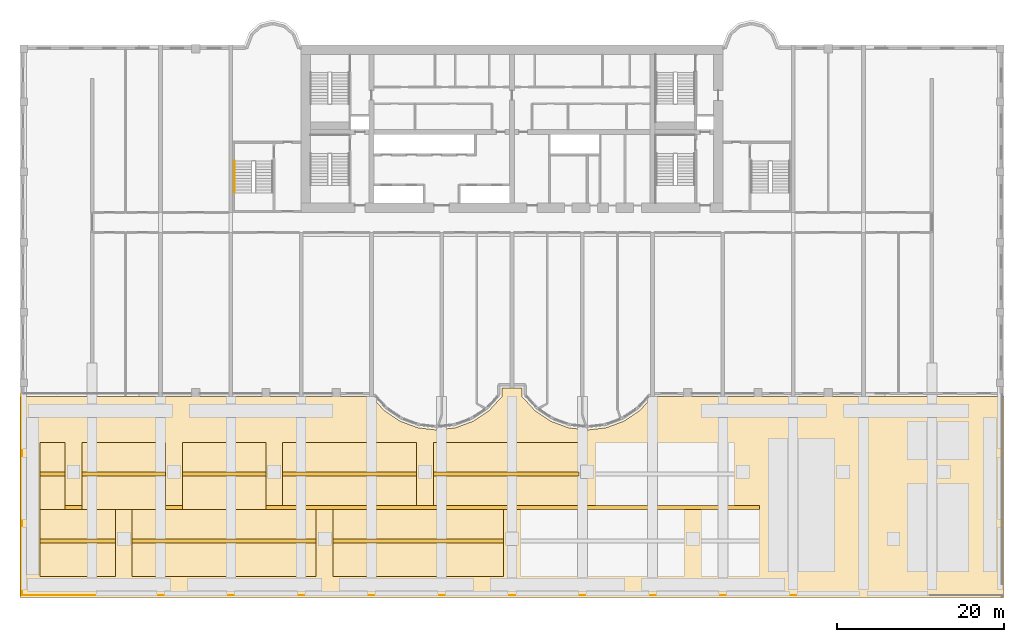
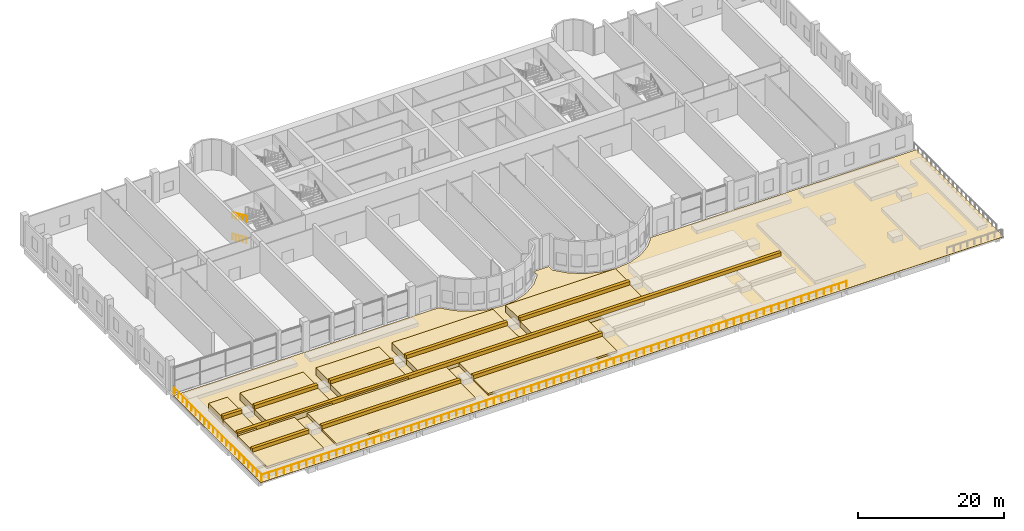
# One storey, part 18 of 20: 26 coverings, 3 railings.
"""IFC4 building model written with IfcOpenShell, lengths in metres."""

from ifc_helpers import new_model, si_unit, direction, frame, origin, origin_2d, place, context, subcontext, project, spatial, polyline, rectangle, circle, outline, extrude, source, transform, mapped, material, layer, layer_set, type_object, element, save


model = new_model("IFC4")

# Units and contexts
model_context = context("Model", 3, precision=1e-05, world=origin(), true_north=direction((0.0, 1.0)))
body_context = subcontext(model_context, "Body", "Model", "MODEL_VIEW")
ifc_project = project(units=[si_unit("LENGTHUNIT", "METRE"), si_unit("AREAUNIT", "SQUARE_METRE"), si_unit("VOLUMEUNIT", "CUBIC_METRE"), si_unit("PLANEANGLEUNIT", "RADIAN"), si_unit("MASSUNIT", "GRAM", prefix="KILO")], contexts=[model_context])

# Site, building, storey
site_placement = place(None, origin())
site = spatial("IfcSite", under=ifc_project, at=site_placement, CompositionType="ELEMENT")
building_placement = place(site_placement, origin())
building = spatial("IfcBuilding", under=site, at=building_placement, Name="Vanashikhar Sky Hotel", CompositionType="ELEMENT")
storey_placement = place(building_placement, frame((0.0, 0.0, 6.0)))
storey = spatial("IfcBuildingStorey", under=building, at=storey_placement, Name="L01", CompositionType="ELEMENT", Elevation=6.0)

# Coverings
ifc_material_1 = material(Name="Paving stone", Category="masonry")
ifc_layer_1 = layer(ifc_material_1, 0.050048828125)
ifc_layer_set_1 = layer_set([ifc_layer_1], Name="Paving stone 50")
covering_type_1 = type_object("IfcCoveringType", Name="Paving stone 50", PredefinedType="FLOORING", material=ifc_layer_set_1)
shared_shape_1 = source(origin(), body_context, "Body", "SweptSolid", [
    extrude(outline(polyline([(109.197998046875, -0.001953125), (67.200927734375, -0.001953125), (65.66796875, -1.676025390625), (63.783935546875, -2.944091796875), (61.654052734375, -3.73388671875), (59.39990234375, -4.001953125), (57.14599609375, -3.73388671875), (55.01611328125, -2.944091796875), (53.132080078125, -1.676025390625), (51.597900390625, -0.0009765625), (51.597900390625, 0.998046875), (49.201904296875, 0.998046875), (49.201904296875, -0.0009765625), (47.66796875, -1.676025390625), (45.783935546875, -2.944091796875), (43.654052734375, -3.73388671875), (41.39990234375, -4.001953125), (39.14599609375, -3.73388671875), (37.01611328125, -2.944091796875), (35.132080078125, -1.676025390625), (33.59912109375, -0.001953125), (-8.39794921875, -0.001953125), (-8.39794921875, -23.998046875), (109.197998046875, -23.998046875), (109.197998046875, -0.001953125)])), origin(), (0.0, 0.0, 1.0), 0.050048828125),
])
covering_1_placement = place(storey_placement, frame((0.0, 0.0, -0.050048828125)))
element("IfcCovering", 1, at=covering_1_placement, inside=storey, type_object=covering_type_1, Name="Garden deck paving", PredefinedType="FLOORING", context=body_context, shape_type="MappedRepresentation", body=[
    mapped(shared_shape_1, transform((0.0, 0.0, 0.0), scale=1.0)),
])
ifc_layer_2 = layer(ifc_material_1, 0.14990234375)
ifc_layer_set_2 = layer_set([ifc_layer_2], Name="Garden terrace step paving")
covering_type_2 = type_object("IfcCoveringType", Name="Garden terrace step paving", PredefinedType="FLOORING", material=ifc_layer_set_2)
shared_shape_2 = source(origin(), body_context, "Body", "SweptSolid", [
    extrude(rectangle(XDim=9.0, YDim=4.0, at=origin_2d()), origin(), (0.0, 0.0, 1.0), 0.300048828125),
])
covering_2_placement = place(storey_placement, frame((-1.5, -19.5, 0.0), z_axis=(0.0, 0.0, 1.0), x_axis=(1.0, 0.0, 0.0)))
element("IfcCovering", 2, at=covering_2_placement, inside=storey, type_object=covering_type_2, Name="Garden terrace step paving", PredefinedType="FLOORING", context=body_context, shape_type="MappedRepresentation", body=[
    mapped(shared_shape_2, transform((0.0, 0.0, 0.0), scale=1.0)),
])
shared_shape_3 = source(origin(), body_context, "Body", "SweptSolid", [
    extrude(rectangle(XDim=22.0, YDim=4.0, at=origin_2d()), origin(), (0.0, 0.0, 1.0), 0.300048828125),
])
covering_3_placement = place(storey_placement, frame((16.0, -19.5, 0.0), z_axis=(0.0, 0.0, 1.0), x_axis=(1.0, 0.0, 0.0)))
element("IfcCovering", 3, at=covering_3_placement, inside=storey, type_object=covering_type_2, Name="Garden terrace step paving", PredefinedType="FLOORING", context=body_context, shape_type="MappedRepresentation", body=[
    mapped(shared_shape_3, transform((0.0, 0.0, 0.0), scale=1.0)),
])
shared_shape_4 = source(origin(), body_context, "Body", "SweptSolid", [
    extrude(rectangle(XDim=20.39990234375, YDim=4.0, at=origin_2d()), origin(), (0.0, 0.0, 1.0), 0.300048828125),
])
covering_4_placement = place(storey_placement, frame((39.199951171875, -19.5, 0.0), z_axis=(0.0, 0.0, 1.0), x_axis=(1.0, 0.0, 0.0)))
element("IfcCovering", 4, at=covering_4_placement, inside=storey, type_object=covering_type_2, Name="Garden terrace step paving", PredefinedType="FLOORING", context=body_context, shape_type="MappedRepresentation", body=[
    mapped(shared_shape_4, transform((0.0, 0.0, 0.0), scale=1.0)),
])
shared_shape_5 = source(origin(), body_context, "Body", "SweptSolid", [
    extrude(rectangle(XDim=9.0, YDim=4.0, at=origin_2d()), origin(), (0.0, 0.0, 1.0), 0.60009765625),
])
covering_5_placement = place(storey_placement, frame((-1.5, -15.5, 0.0), z_axis=(0.0, 0.0, 1.0), x_axis=(1.0, 0.0, 0.0)))
element("IfcCovering", 5, at=covering_5_placement, inside=storey, type_object=covering_type_2, Name="Garden terrace step paving", PredefinedType="FLOORING", context=body_context, shape_type="MappedRepresentation", body=[
    mapped(shared_shape_5, transform((0.0, 0.0, 0.0), scale=1.0)),
])
shared_shape_6 = source(origin(), body_context, "Body", "SweptSolid", [
    extrude(rectangle(XDim=22.0, YDim=4.0, at=origin_2d()), origin(), (0.0, 0.0, 1.0), 0.60009765625),
])
covering_6_placement = place(storey_placement, frame((16.0, -15.5, 0.0), z_axis=(0.0, 0.0, 1.0), x_axis=(1.0, 0.0, 0.0)))
element("IfcCovering", 6, at=covering_6_placement, inside=storey, type_object=covering_type_2, Name="Garden terrace step paving", PredefinedType="FLOORING", context=body_context, shape_type="MappedRepresentation", body=[
    mapped(shared_shape_6, transform((0.0, 0.0, 0.0), scale=1.0)),
])
shared_shape_7 = source(origin(), body_context, "Body", "SweptSolid", [
    extrude(rectangle(XDim=20.39990234375, YDim=4.0, at=origin_2d()), origin(), (0.0, 0.0, 1.0), 0.60009765625),
])
covering_7_placement = place(storey_placement, frame((39.199951171875, -15.5, 0.0), z_axis=(0.0, 0.0, 1.0), x_axis=(1.0, 0.0, 0.0)))
element("IfcCovering", 7, at=covering_7_placement, inside=storey, type_object=covering_type_2, Name="Garden terrace step paving", PredefinedType="FLOORING", context=body_context, shape_type="MappedRepresentation", body=[
    mapped(shared_shape_7, transform((0.0, 0.0, 0.0), scale=1.0)),
])
ifc_material_2 = material(Name="Concrete M50 precast", Category="concrete")
covering_type_3 = type_object("IfcCoveringType", Name="Garden planter wall", PredefinedType="CLADDING", material=ifc_material_2)
shared_shape_8 = source(origin(), body_context, "Body", "SweptSolid", [
    extrude(rectangle(XDim=9.0, YDim=0.5, at=origin_2d()), origin(), (0.0, 0.0, 1.0), 0.60009765625),
])
covering_8_placement = place(storey_placement, frame((-1.5, -17.25, 0.300048828125), z_axis=(0.0, 0.0, 1.0), x_axis=(1.0, 0.0, 0.0)))
element("IfcCovering", 8, at=covering_8_placement, inside=storey, type_object=covering_type_3, Name="Garden planter wall", PredefinedType="CLADDING", context=body_context, shape_type="MappedRepresentation", body=[
    mapped(shared_shape_8, transform((0.0, 0.0, 0.0), scale=1.0)),
])
shared_shape_9 = source(origin(), body_context, "Body", "SweptSolid", [
    extrude(rectangle(XDim=22.0, YDim=0.5, at=origin_2d()), origin(), (0.0, 0.0, 1.0), 0.60009765625),
])
covering_9_placement = place(storey_placement, frame((16.0, -17.25, 0.300048828125), z_axis=(0.0, 0.0, 1.0), x_axis=(1.0, 0.0, 0.0)))
element("IfcCovering", 9, at=covering_9_placement, inside=storey, type_object=covering_type_3, Name="Garden planter wall", PredefinedType="CLADDING", context=body_context, shape_type="MappedRepresentation", body=[
    mapped(shared_shape_9, transform((0.0, 0.0, 0.0), scale=1.0)),
])
shared_shape_10 = source(origin(), body_context, "Body", "SweptSolid", [
    extrude(rectangle(XDim=20.39990234375, YDim=0.5, at=origin_2d()), origin(), (0.0, 0.0, 1.0), 0.60009765625),
])
covering_10_placement = place(storey_placement, frame((39.199951171875, -17.25, 0.300048828125), z_axis=(0.0, 0.0, 1.0), x_axis=(1.0, 0.0, 0.0)))
element("IfcCovering", 10, at=covering_10_placement, inside=storey, type_object=covering_type_3, Name="Garden planter wall", PredefinedType="CLADDING", context=body_context, shape_type="MappedRepresentation", body=[
    mapped(shared_shape_10, transform((0.0, 0.0, 0.0), scale=1.0)),
])
shared_shape_11 = source(origin(), body_context, "Body", "SweptSolid", [
    extrude(rectangle(XDim=3.0, YDim=4.0, at=origin_2d()), origin(), (0.0, 0.0, 1.0), 0.89990234375),
])
covering_11_placement = place(storey_placement, frame((-4.5, -11.5, 0.0), z_axis=(0.0, 0.0, 1.0), x_axis=(1.0, 0.0, 0.0)))
element("IfcCovering", 11, at=covering_11_placement, inside=storey, type_object=covering_type_2, Name="Garden terrace step paving", PredefinedType="FLOORING", context=body_context, shape_type="MappedRepresentation", body=[
    mapped(shared_shape_11, transform((0.0, 0.0, 0.0), scale=1.0)),
])
shared_shape_12 = source(origin(), body_context, "Body", "SweptSolid", [
    extrude(rectangle(XDim=10.0, YDim=4.0, at=origin_2d()), origin(), (0.0, 0.0, 1.0), 0.89990234375),
])
for number, where, z_axis, x_axis, name in (
    (12, (4.0, -11.5, 0.0), (0.0, 0.0, 1.0), (1.0, 0.0, 0.0), "Garden terrace step paving"),
    (13, (16.0, -11.5, 0.0), (0.0, 0.0, 1.0), (1.0, 0.0, 0.0), "Garden terrace step paving"),
):
    element("IfcCovering", number, at=place(storey_placement, frame(where, z_axis=z_axis, x_axis=x_axis)), inside=storey, type_object=covering_type_2, Name=name, PredefinedType="FLOORING", context=body_context, shape_type="MappedRepresentation", body=[
        mapped(shared_shape_12, transform((0.0, 0.0, 0.0), scale=1.0)),
    ])
shared_shape_13 = source(origin(), body_context, "Body", "SweptSolid", [
    extrude(rectangle(XDim=16.0, YDim=4.0, at=origin_2d()), origin(), (0.0, 0.0, 1.0), 0.89990234375),
])
covering_12_placement = place(storey_placement, frame((31.0, -11.5, 0.0), z_axis=(0.0, 0.0, 1.0), x_axis=(1.0, 0.0, 0.0)))
element("IfcCovering", 14, at=covering_12_placement, inside=storey, type_object=covering_type_2, Name="Garden terrace step paving", PredefinedType="FLOORING", context=body_context, shape_type="MappedRepresentation", body=[
    mapped(shared_shape_13, transform((0.0, 0.0, 0.0), scale=1.0)),
])
shared_shape_14 = source(origin(), body_context, "Body", "SweptSolid", [
    extrude(rectangle(XDim=17.39990234375, YDim=4.0, at=origin_2d()), origin(), (0.0, 0.0, 1.0), 0.89990234375),
])
covering_13_placement = place(storey_placement, frame((49.699951171875, -11.5, 0.0), z_axis=(0.0, 0.0, 1.0), x_axis=(1.0, 0.0, 0.0)))
element("IfcCovering", 15, at=covering_13_placement, inside=storey, type_object=covering_type_2, Name="Garden terrace step paving", PredefinedType="FLOORING", context=body_context, shape_type="MappedRepresentation", body=[
    mapped(shared_shape_14, transform((0.0, 0.0, 0.0), scale=1.0)),
])
shared_shape_15 = source(origin(), body_context, "Body", "SweptSolid", [
    extrude(rectangle(XDim=86.0, YDim=0.5, at=origin_2d()), origin(), (0.0, 0.0, 1.0), 0.60009765625),
])
covering_14_placement = place(storey_placement, frame((37.0, -13.25, 0.599853515625), z_axis=(0.0, 0.0, 1.0), x_axis=(1.0, 0.0, 0.0)))
element("IfcCovering", 16, at=covering_14_placement, inside=storey, type_object=covering_type_3, Name="Garden planter wall", PredefinedType="CLADDING", context=body_context, shape_type="MappedRepresentation", body=[
    mapped(shared_shape_15, transform((0.0, 0.0, 0.0), scale=1.0)),
])
shared_shape_16 = source(origin(), body_context, "Body", "SweptSolid", [
    extrude(rectangle(XDim=3.0, YDim=4.0, at=origin_2d()), origin(), (0.0, 0.0, 1.0), 1.199951171875),
])
covering_15_placement = place(storey_placement, frame((-4.5, -7.5, 0.0), z_axis=(0.0, 0.0, 1.0), x_axis=(1.0, 0.0, 0.0)))
element("IfcCovering", 17, at=covering_15_placement, inside=storey, type_object=covering_type_2, Name="Garden terrace step paving", PredefinedType="FLOORING", context=body_context, shape_type="MappedRepresentation", body=[
    mapped(shared_shape_16, transform((0.0, 0.0, 0.0), scale=1.0)),
])
shared_shape_17 = source(origin(), body_context, "Body", "SweptSolid", [
    extrude(rectangle(XDim=10.0, YDim=4.0, at=origin_2d()), origin(), (0.0, 0.0, 1.0), 1.199951171875),
])
for number, where, z_axis, x_axis, name in (
    (18, (4.0, -7.5, 0.0), (0.0, 0.0, 1.0), (1.0, 0.0, 0.0), "Garden terrace step paving"),
    (19, (16.0, -7.5, 0.0), (0.0, 0.0, 1.0), (1.0, 0.0, 0.0), "Garden terrace step paving"),
):
    element("IfcCovering", number, at=place(storey_placement, frame(where, z_axis=z_axis, x_axis=x_axis)), inside=storey, type_object=covering_type_2, Name=name, PredefinedType="FLOORING", context=body_context, shape_type="MappedRepresentation", body=[
        mapped(shared_shape_17, transform((0.0, 0.0, 0.0), scale=1.0)),
    ])
shared_shape_18 = source(origin(), body_context, "Body", "SweptSolid", [
    extrude(rectangle(XDim=16.0, YDim=4.0, at=origin_2d()), origin(), (0.0, 0.0, 1.0), 1.199951171875),
])
covering_16_placement = place(storey_placement, frame((31.0, -7.5, 0.0), z_axis=(0.0, 0.0, 1.0), x_axis=(1.0, 0.0, 0.0)))
element("IfcCovering", 20, at=covering_16_placement, inside=storey, type_object=covering_type_2, Name="Garden terrace step paving", PredefinedType="FLOORING", context=body_context, shape_type="MappedRepresentation", body=[
    mapped(shared_shape_18, transform((0.0, 0.0, 0.0), scale=1.0)),
])
shared_shape_19 = source(origin(), body_context, "Body", "SweptSolid", [
    extrude(rectangle(XDim=17.39990234375, YDim=4.0, at=origin_2d()), origin(), (0.0, 0.0, 1.0), 1.199951171875),
])
covering_17_placement = place(storey_placement, frame((49.699951171875, -7.5, 0.0), z_axis=(0.0, 0.0, 1.0), x_axis=(1.0, 0.0, 0.0)))
element("IfcCovering", 21, at=covering_17_placement, inside=storey, type_object=covering_type_2, Name="Garden terrace step paving", PredefinedType="FLOORING", context=body_context, shape_type="MappedRepresentation", body=[
    mapped(shared_shape_19, transform((0.0, 0.0, 0.0), scale=1.0)),
])
shared_shape_20 = source(origin(), body_context, "Body", "SweptSolid", [
    extrude(rectangle(XDim=3.0, YDim=0.5, at=origin_2d()), origin(), (0.0, 0.0, 1.0), 0.60009765625),
])
covering_18_placement = place(storey_placement, frame((-4.5, -9.25, 0.89990234375), z_axis=(0.0, 0.0, 1.0), x_axis=(1.0, 0.0, 0.0)))
element("IfcCovering", 22, at=covering_18_placement, inside=storey, type_object=covering_type_3, Name="Garden planter wall", PredefinedType="CLADDING", context=body_context, shape_type="MappedRepresentation", body=[
    mapped(shared_shape_20, transform((0.0, 0.0, 0.0), scale=1.0)),
])
shared_shape_21 = source(origin(), body_context, "Body", "SweptSolid", [
    extrude(rectangle(XDim=10.0, YDim=0.5, at=origin_2d()), origin(), (0.0, 0.0, 1.0), 0.60009765625),
])
for number, where, z_axis, x_axis, name in (
    (23, (4.0, -9.25, 0.89990234375), (0.0, 0.0, 1.0), (1.0, 0.0, 0.0), "Garden planter wall"),
    (24, (16.0, -9.25, 0.89990234375), (0.0, 0.0, 1.0), (1.0, 0.0, 0.0), "Garden planter wall"),
):
    element("IfcCovering", number, at=place(storey_placement, frame(where, z_axis=z_axis, x_axis=x_axis)), inside=storey, type_object=covering_type_3, Name=name, PredefinedType="CLADDING", context=body_context, shape_type="MappedRepresentation", body=[
        mapped(shared_shape_21, transform((0.0, 0.0, 0.0), scale=1.0)),
    ])
shared_shape_22 = source(origin(), body_context, "Body", "SweptSolid", [
    extrude(rectangle(XDim=16.0, YDim=0.5, at=origin_2d()), origin(), (0.0, 0.0, 1.0), 0.60009765625),
])
covering_19_placement = place(storey_placement, frame((31.0, -9.25, 0.89990234375), z_axis=(0.0, 0.0, 1.0), x_axis=(1.0, 0.0, 0.0)))
element("IfcCovering", 25, at=covering_19_placement, inside=storey, type_object=covering_type_3, Name="Garden planter wall", PredefinedType="CLADDING", context=body_context, shape_type="MappedRepresentation", body=[
    mapped(shared_shape_22, transform((0.0, 0.0, 0.0), scale=1.0)),
])
shared_shape_23 = source(origin(), body_context, "Body", "SweptSolid", [
    extrude(rectangle(XDim=17.39990234375, YDim=0.5, at=origin_2d()), origin(), (0.0, 0.0, 1.0), 0.60009765625),
])
covering_20_placement = place(storey_placement, frame((49.699951171875, -9.25, 0.89990234375), z_axis=(0.0, 0.0, 1.0), x_axis=(1.0, 0.0, 0.0)))
element("IfcCovering", 26, at=covering_20_placement, inside=storey, type_object=covering_type_3, Name="Garden planter wall", PredefinedType="CLADDING", context=body_context, shape_type="MappedRepresentation", body=[
    mapped(shared_shape_23, transform((0.0, 0.0, 0.0), scale=1.0)),
])

# Railings
ifc_material_3 = material(Name="Stainless steel 316", Category="steel")
railing_type_1 = type_object("IfcRailingType", Name="Deck guard 1100", PredefinedType="GUARDRAIL", material=ifc_material_3)
shared_shape_24 = source(origin(), body_context, "Body", "SweptSolid", [
    extrude(circle(Radius=0.02392578125, at=origin_2d()), frame((0.0, 0.0, 1.076171875), z_axis=(0.0, -1.0, 0.0), x_axis=(1.0, 0.0, 0.0)), (0.0, 0.0, 1.0), 24.0),
    extrude(circle(Radius=0.02392578125, at=origin_2d()), frame((0.0, -24.0, 1.076171875), z_axis=(1.0, 0.0, 0.0), x_axis=(0.0, 1.0, 0.0)), (0.0, 0.0, 1.0), 92.58984375),
    extrude(circle(Radius=0.02099609375, at=origin_2d()), origin(), (0.0, 0.0, 1.0), 1.052001953125),
    extrude(circle(Radius=0.02099609375, at=origin_2d()), frame((0.0, -1.199951171875, 0.0)), (0.0, 0.0, 1.0), 1.052001953125),
    extrude(circle(Radius=0.02099609375, at=origin_2d()), frame((0.0, -2.39990234375, 0.0)), (0.0, 0.0, 1.0), 1.052001953125),
    extrude(circle(Radius=0.02099609375, at=origin_2d()), frame((0.0, -3.60009765625, 0.0)), (0.0, 0.0, 1.0), 1.052001953125),
    extrude(circle(Radius=0.02099609375, at=origin_2d()), frame((0.0, -4.800048828125, 0.0)), (0.0, 0.0, 1.0), 1.052001953125),
    extrude(circle(Radius=0.02099609375, at=origin_2d()), frame((0.0, -6.0, 0.0)), (0.0, 0.0, 1.0), 1.052001953125),
    extrude(circle(Radius=0.02099609375, at=origin_2d()), frame((0.0, -7.199951171875, 0.0)), (0.0, 0.0, 1.0), 1.052001953125),
    extrude(circle(Radius=0.02099609375, at=origin_2d()), frame((0.0, -8.39990234375, 0.0)), (0.0, 0.0, 1.0), 1.052001953125),
    extrude(circle(Radius=0.02099609375, at=origin_2d()), frame((0.0, -9.60009765625, 0.0)), (0.0, 0.0, 1.0), 1.052001953125),
    extrude(circle(Radius=0.02099609375, at=origin_2d()), frame((0.0, -10.800048828125, 0.0)), (0.0, 0.0, 1.0), 1.052001953125),
    extrude(circle(Radius=0.02099609375, at=origin_2d()), frame((0.0, -12.0, 0.0)), (0.0, 0.0, 1.0), 1.052001953125),
    extrude(circle(Radius=0.02099609375, at=origin_2d()), frame((0.0, -13.199951171875, 0.0)), (0.0, 0.0, 1.0), 1.052001953125),
    extrude(circle(Radius=0.02099609375, at=origin_2d()), frame((0.0, -14.39990234375, 0.0)), (0.0, 0.0, 1.0), 1.052001953125),
    extrude(circle(Radius=0.02099609375, at=origin_2d()), frame((0.0, -15.60009765625, 0.0)), (0.0, 0.0, 1.0), 1.052001953125),
    extrude(circle(Radius=0.02099609375, at=origin_2d()), frame((0.0, -16.800048828125, 0.0)), (0.0, 0.0, 1.0), 1.052001953125),
    extrude(circle(Radius=0.02099609375, at=origin_2d()), frame((0.0, -18.0, 0.0)), (0.0, 0.0, 1.0), 1.052001953125),
    extrude(circle(Radius=0.02099609375, at=origin_2d()), frame((0.0, -19.199951171875, 0.0)), (0.0, 0.0, 1.0), 1.052001953125),
    extrude(circle(Radius=0.02099609375, at=origin_2d()), frame((0.0, -20.39990234375, 0.0)), (0.0, 0.0, 1.0), 1.052001953125),
    extrude(circle(Radius=0.02099609375, at=origin_2d()), frame((0.0, -21.60009765625, 0.0)), (0.0, 0.0, 1.0), 1.052001953125),
    extrude(circle(Radius=0.02099609375, at=origin_2d()), frame((0.0, -22.800048828125, 0.0)), (0.0, 0.0, 1.0), 1.052001953125),
    extrude(circle(Radius=0.02099609375, at=origin_2d()), frame((0.0, -24.0, 0.0)), (0.0, 0.0, 1.0), 1.052001953125),
    extrude(circle(Radius=0.02099609375, at=origin_2d()), frame((1.18701171875, -24.0, 0.0)), (0.0, 0.0, 1.0), 1.052001953125),
    extrude(circle(Radius=0.02099609375, at=origin_2d()), frame((2.3740234375, -24.0, 0.0)), (0.0, 0.0, 1.0), 1.052001953125),
    extrude(circle(Radius=0.02099609375, at=origin_2d()), frame((3.56103515625, -24.0, 0.0)), (0.0, 0.0, 1.0), 1.052001953125),
    extrude(circle(Radius=0.02099609375, at=origin_2d()), frame((4.748291015625, -24.0, 0.0)), (0.0, 0.0, 1.0), 1.052001953125),
    extrude(circle(Radius=0.02099609375, at=origin_2d()), frame((5.935302734375, -24.0, 0.0)), (0.0, 0.0, 1.0), 1.052001953125),
    extrude(circle(Radius=0.02099609375, at=origin_2d()), frame((7.122314453125, -24.0, 0.0)), (0.0, 0.0, 1.0), 1.052001953125),
    extrude(circle(Radius=0.02099609375, at=origin_2d()), frame((8.309326171875, -24.0, 0.0)), (0.0, 0.0, 1.0), 1.052001953125),
    extrude(circle(Radius=0.02099609375, at=origin_2d()), frame((9.496337890625, -24.0, 0.0)), (0.0, 0.0, 1.0), 1.052001953125),
    extrude(circle(Radius=0.02099609375, at=origin_2d()), frame((10.683349609375, -24.0, 0.0)), (0.0, 0.0, 1.0), 1.052001953125),
    extrude(circle(Radius=0.02099609375, at=origin_2d()), frame((11.87060546875, -24.0, 0.0)), (0.0, 0.0, 1.0), 1.052001953125),
    extrude(circle(Radius=0.02099609375, at=origin_2d()), frame((13.0576171875, -24.0, 0.0)), (0.0, 0.0, 1.0), 1.052001953125),
    extrude(circle(Radius=0.02099609375, at=origin_2d()), frame((14.24462890625, -24.0, 0.0)), (0.0, 0.0, 1.0), 1.052001953125),
    extrude(circle(Radius=0.02099609375, at=origin_2d()), frame((15.431640625, -24.0, 0.0)), (0.0, 0.0, 1.0), 1.052001953125),
    extrude(circle(Radius=0.02099609375, at=origin_2d()), frame((16.61865234375, -24.0, 0.0)), (0.0, 0.0, 1.0), 1.052001953125),
    extrude(circle(Radius=0.02099609375, at=origin_2d()), frame((17.8056640625, -24.0, 0.0)), (0.0, 0.0, 1.0), 1.052001953125),
    extrude(circle(Radius=0.02099609375, at=origin_2d()), frame((18.99267578125, -24.0, 0.0)), (0.0, 0.0, 1.0), 1.052001953125),
    extrude(circle(Radius=0.02099609375, at=origin_2d()), frame((20.179931640625, -24.0, 0.0)), (0.0, 0.0, 1.0), 1.052001953125),
    extrude(circle(Radius=0.02099609375, at=origin_2d()), frame((21.366943359375, -24.0, 0.0)), (0.0, 0.0, 1.0), 1.052001953125),
    extrude(circle(Radius=0.02099609375, at=origin_2d()), frame((22.553955078125, -24.0, 0.0)), (0.0, 0.0, 1.0), 1.052001953125),
    extrude(circle(Radius=0.02099609375, at=origin_2d()), frame((23.740966796875, -24.0, 0.0)), (0.0, 0.0, 1.0), 1.052001953125),
    extrude(circle(Radius=0.02099609375, at=origin_2d()), frame((24.927978515625, -24.0, 0.0)), (0.0, 0.0, 1.0), 1.052001953125),
    extrude(circle(Radius=0.02099609375, at=origin_2d()), frame((26.114990234375, -24.0, 0.0)), (0.0, 0.0, 1.0), 1.052001953125),
    extrude(circle(Radius=0.02099609375, at=origin_2d()), frame((27.30224609375, -24.0, 0.0)), (0.0, 0.0, 1.0), 1.052001953125),
    extrude(circle(Radius=0.02099609375, at=origin_2d()), frame((28.4892578125, -24.0, 0.0)), (0.0, 0.0, 1.0), 1.052001953125),
    extrude(circle(Radius=0.02099609375, at=origin_2d()), frame((29.67626953125, -24.0, 0.0)), (0.0, 0.0, 1.0), 1.052001953125),
    extrude(circle(Radius=0.02099609375, at=origin_2d()), frame((30.86328125, -24.0, 0.0)), (0.0, 0.0, 1.0), 1.052001953125),
    extrude(circle(Radius=0.02099609375, at=origin_2d()), frame((32.05029296875, -24.0, 0.0)), (0.0, 0.0, 1.0), 1.052001953125),
    extrude(circle(Radius=0.02099609375, at=origin_2d()), frame((33.2373046875, -24.0, 0.0)), (0.0, 0.0, 1.0), 1.052001953125),
    extrude(circle(Radius=0.02099609375, at=origin_2d()), frame((34.42431640625, -24.0, 0.0)), (0.0, 0.0, 1.0), 1.052001953125),
    extrude(circle(Radius=0.02099609375, at=origin_2d()), frame((35.611572265625, -24.0, 0.0)), (0.0, 0.0, 1.0), 1.052001953125),
    extrude(circle(Radius=0.02099609375, at=origin_2d()), frame((36.798583984375, -24.0, 0.0)), (0.0, 0.0, 1.0), 1.052001953125),
    extrude(circle(Radius=0.02099609375, at=origin_2d()), frame((37.985595703125, -24.0, 0.0)), (0.0, 0.0, 1.0), 1.052001953125),
    extrude(circle(Radius=0.02099609375, at=origin_2d()), frame((39.172607421875, -24.0, 0.0)), (0.0, 0.0, 1.0), 1.052001953125),
    extrude(circle(Radius=0.02099609375, at=origin_2d()), frame((40.359619140625, -24.0, 0.0)), (0.0, 0.0, 1.0), 1.052001953125),
    extrude(circle(Radius=0.02099609375, at=origin_2d()), frame((41.546630859375, -24.0, 0.0)), (0.0, 0.0, 1.0), 1.052001953125),
    extrude(circle(Radius=0.02099609375, at=origin_2d()), frame((42.73388671875, -24.0, 0.0)), (0.0, 0.0, 1.0), 1.052001953125),
    extrude(circle(Radius=0.02099609375, at=origin_2d()), frame((43.9208984375, -24.0, 0.0)), (0.0, 0.0, 1.0), 1.052001953125),
    extrude(circle(Radius=0.02099609375, at=origin_2d()), frame((45.10791015625, -24.0, 0.0)), (0.0, 0.0, 1.0), 1.052001953125),
    extrude(circle(Radius=0.02099609375, at=origin_2d()), frame((46.294921875, -24.0, 0.0)), (0.0, 0.0, 1.0), 1.052001953125),
    extrude(circle(Radius=0.02099609375, at=origin_2d()), frame((47.48193359375, -24.0, 0.0)), (0.0, 0.0, 1.0), 1.052001953125),
    extrude(circle(Radius=0.02099609375, at=origin_2d()), frame((48.6689453125, -24.0, 0.0)), (0.0, 0.0, 1.0), 1.052001953125),
    extrude(circle(Radius=0.02099609375, at=origin_2d()), frame((49.85595703125, -24.0, 0.0)), (0.0, 0.0, 1.0), 1.052001953125),
    extrude(circle(Radius=0.02099609375, at=origin_2d()), frame((51.043212890625, -24.0, 0.0)), (0.0, 0.0, 1.0), 1.052001953125),
    extrude(circle(Radius=0.02099609375, at=origin_2d()), frame((52.230224609375, -24.0, 0.0)), (0.0, 0.0, 1.0), 1.052001953125),
    extrude(circle(Radius=0.02099609375, at=origin_2d()), frame((53.417236328125, -24.0, 0.0)), (0.0, 0.0, 1.0), 1.052001953125),
    extrude(circle(Radius=0.02099609375, at=origin_2d()), frame((54.604248046875, -24.0, 0.0)), (0.0, 0.0, 1.0), 1.052001953125),
    extrude(circle(Radius=0.02099609375, at=origin_2d()), frame((55.791259765625, -24.0, 0.0)), (0.0, 0.0, 1.0), 1.052001953125),
    extrude(circle(Radius=0.02099609375, at=origin_2d()), frame((56.978271484375, -24.0, 0.0)), (0.0, 0.0, 1.0), 1.052001953125),
    extrude(circle(Radius=0.02099609375, at=origin_2d()), frame((58.16552734375, -24.0, 0.0)), (0.0, 0.0, 1.0), 1.052001953125),
    extrude(circle(Radius=0.02099609375, at=origin_2d()), frame((59.3525390625, -24.0, 0.0)), (0.0, 0.0, 1.0), 1.052001953125),
    extrude(circle(Radius=0.02099609375, at=origin_2d()), frame((60.53955078125, -24.0, 0.0)), (0.0, 0.0, 1.0), 1.052001953125),
    extrude(circle(Radius=0.02099609375, at=origin_2d()), frame((61.7265625, -24.0, 0.0)), (0.0, 0.0, 1.0), 1.052001953125),
    extrude(circle(Radius=0.02099609375, at=origin_2d()), frame((62.91357421875, -24.0, 0.0)), (0.0, 0.0, 1.0), 1.052001953125),
    extrude(circle(Radius=0.02099609375, at=origin_2d()), frame((64.1005859375, -24.0, 0.0)), (0.0, 0.0, 1.0), 1.052001953125),
    extrude(circle(Radius=0.02099609375, at=origin_2d()), frame((65.28759765625, -24.0, 0.0)), (0.0, 0.0, 1.0), 1.052001953125),
    extrude(circle(Radius=0.02099609375, at=origin_2d()), frame((66.474853515625, -24.0, 0.0)), (0.0, 0.0, 1.0), 1.052001953125),
    extrude(circle(Radius=0.02099609375, at=origin_2d()), frame((67.661865234375, -24.0, 0.0)), (0.0, 0.0, 1.0), 1.052001953125),
    extrude(circle(Radius=0.02099609375, at=origin_2d()), frame((68.848876953125, -24.0, 0.0)), (0.0, 0.0, 1.0), 1.052001953125),
    extrude(circle(Radius=0.02099609375, at=origin_2d()), frame((70.035888671875, -24.0, 0.0)), (0.0, 0.0, 1.0), 1.052001953125),
    extrude(circle(Radius=0.02099609375, at=origin_2d()), frame((71.222900390625, -24.0, 0.0)), (0.0, 0.0, 1.0), 1.052001953125),
    extrude(circle(Radius=0.02099609375, at=origin_2d()), frame((72.409912109375, -24.0, 0.0)), (0.0, 0.0, 1.0), 1.052001953125),
    extrude(circle(Radius=0.02099609375, at=origin_2d()), frame((73.59716796875, -24.0, 0.0)), (0.0, 0.0, 1.0), 1.052001953125),
    extrude(circle(Radius=0.02099609375, at=origin_2d()), frame((74.7841796875, -24.0, 0.0)), (0.0, 0.0, 1.0), 1.052001953125),
    extrude(circle(Radius=0.02099609375, at=origin_2d()), frame((75.97119140625, -24.0, 0.0)), (0.0, 0.0, 1.0), 1.052001953125),
    extrude(circle(Radius=0.02099609375, at=origin_2d()), frame((77.158203125, -24.0, 0.0)), (0.0, 0.0, 1.0), 1.052001953125),
    extrude(circle(Radius=0.02099609375, at=origin_2d()), frame((78.34521484375, -24.0, 0.0)), (0.0, 0.0, 1.0), 1.052001953125),
    extrude(circle(Radius=0.02099609375, at=origin_2d()), frame((79.5322265625, -24.0, 0.0)), (0.0, 0.0, 1.0), 1.052001953125),
    extrude(circle(Radius=0.02099609375, at=origin_2d()), frame((80.71923828125, -24.0, 0.0)), (0.0, 0.0, 1.0), 1.052001953125),
    extrude(circle(Radius=0.02099609375, at=origin_2d()), frame((81.906494140625, -24.0, 0.0)), (0.0, 0.0, 1.0), 1.052001953125),
    extrude(circle(Radius=0.02099609375, at=origin_2d()), frame((83.093505859375, -24.0, 0.0)), (0.0, 0.0, 1.0), 1.052001953125),
    extrude(circle(Radius=0.02099609375, at=origin_2d()), frame((84.280517578125, -24.0, 0.0)), (0.0, 0.0, 1.0), 1.052001953125),
    extrude(circle(Radius=0.02099609375, at=origin_2d()), frame((85.467529296875, -24.0, 0.0)), (0.0, 0.0, 1.0), 1.052001953125),
    extrude(circle(Radius=0.02099609375, at=origin_2d()), frame((86.654541015625, -24.0, 0.0)), (0.0, 0.0, 1.0), 1.052001953125),
    extrude(circle(Radius=0.02099609375, at=origin_2d()), frame((87.841552734375, -24.0, 0.0)), (0.0, 0.0, 1.0), 1.052001953125),
    extrude(circle(Radius=0.02099609375, at=origin_2d()), frame((89.02880859375, -24.0, 0.0)), (0.0, 0.0, 1.0), 1.052001953125),
    extrude(circle(Radius=0.02099609375, at=origin_2d()), frame((90.2158203125, -24.0, 0.0)), (0.0, 0.0, 1.0), 1.052001953125),
    extrude(circle(Radius=0.02099609375, at=origin_2d()), frame((91.40283203125, -24.0, 0.0)), (0.0, 0.0, 1.0), 1.052001953125),
    extrude(circle(Radius=0.02099609375, at=origin_2d()), frame((92.58984375, -24.0, 0.0)), (0.0, 0.0, 1.0), 1.052001953125),
])
railing_1_placement = place(storey_placement, frame((-8.14990234375, 0.25, 0.0)))
element("IfcRailing", 27, at=railing_1_placement, inside=storey, type_object=railing_type_1, Name="Deck guard", PredefinedType="GUARDRAIL", context=body_context, shape_type="MappedRepresentation", body=[
    mapped(shared_shape_24, transform((0.0, 0.0, 0.0), scale=1.0)),
])
ifc_material_4 = material(Name="Steel S355", Category="steel")
railing_type_2 = type_object("IfcRailingType", Name="Stair handrail 900", PredefinedType="HANDRAIL", material=ifc_material_4)
shared_shape_25 = source(origin(), body_context, "Body", "SweptSolid", [
    extrude(circle(Radius=0.02392578125, at=origin_2d()), frame((0.0, 0.0, 0.8759765625), z_axis=(0.0, -0.917241431489, 0.398331716489), x_axis=(1.0, 0.0, 0.0)), (0.0, 0.0, 1.0), 4.142578125),
    extrude(circle(Radius=0.02099609375, at=origin_2d()), origin(), (0.0, 0.0, 1.0), 0.851806640625),
    extrude(circle(Radius=0.02099609375, at=origin_2d()), frame((0.0, -0.949951171875, 0.41259765625)), (0.0, 0.0, 1.0), 0.851806640625),
    extrude(circle(Radius=0.02099609375, at=origin_2d()), frame((0.0, -1.89990234375, 0.8251953125)), (0.0, 0.0, 1.0), 0.851806640625),
    extrude(circle(Radius=0.02099609375, at=origin_2d()), frame((0.0, -2.849853515625, 1.237548828125)), (0.0, 0.0, 1.0), 0.851806640625),
    extrude(circle(Radius=0.02099609375, at=origin_2d()), frame((0.0, -3.7998046875, 1.650146484375)), (0.0, 0.0, 1.0), 0.851806640625),
])
railing_2_placement = place(storey_placement, frame((17.25, 28.14990234375, 0.14990234375)))
element("IfcRailing", 28, at=railing_2_placement, inside=storey, type_object=railing_type_2, Name="Exit stair 3 handrail", PredefinedType="HANDRAIL", context=body_context, shape_type="MappedRepresentation", body=[
    mapped(shared_shape_25, transform((0.0, 0.0, 0.0), scale=1.0)),
])
shared_shape_26 = source(origin(), body_context, "Body", "SweptSolid", [
    extrude(circle(Radius=0.02392578125, at=origin_2d()), frame((0.0, 0.0, 0.8759765625), z_axis=(0.0, -0.917262962982, 0.398282132089), x_axis=(1.0, 0.0, 0.0)), (0.0, 0.0, 1.0), 4.142578125),
    extrude(circle(Radius=0.02099609375, at=origin_2d()), origin(), (0.0, 0.0, 1.0), 0.851806640625),
    extrude(circle(Radius=0.02099609375, at=origin_2d()), frame((0.0, -0.949951171875, 0.41259765625)), (0.0, 0.0, 1.0), 0.851806640625),
    extrude(circle(Radius=0.02099609375, at=origin_2d()), frame((0.0, -1.89990234375, 0.824951171875)), (0.0, 0.0, 1.0), 0.851806640625),
    extrude(circle(Radius=0.02099609375, at=origin_2d()), frame((0.0, -2.849853515625, 1.2373046875)), (0.0, 0.0, 1.0), 0.851806640625),
    extrude(circle(Radius=0.02099609375, at=origin_2d()), frame((0.0, -3.7998046875, 1.64990234375)), (0.0, 0.0, 1.0), 0.851806640625),
])
railing_3_placement = place(storey_placement, frame((17.25, 28.14990234375, 3.75)))
element("IfcRailing", 29, at=railing_3_placement, inside=storey, type_object=railing_type_2, Name="Exit stair 3 handrail", PredefinedType="HANDRAIL", context=body_context, shape_type="MappedRepresentation", body=[
    mapped(shared_shape_26, transform((0.0, 0.0, 0.0), scale=1.0)),
])

save(model, "model.ifc")
